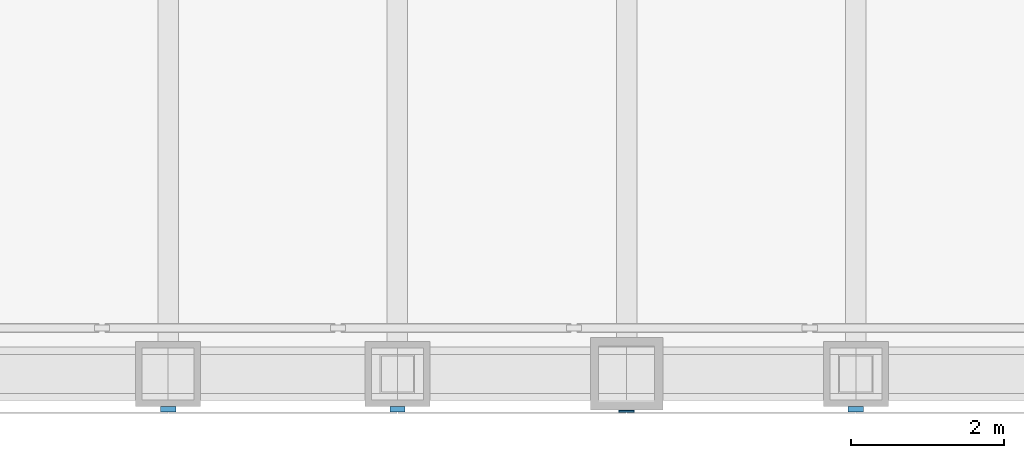
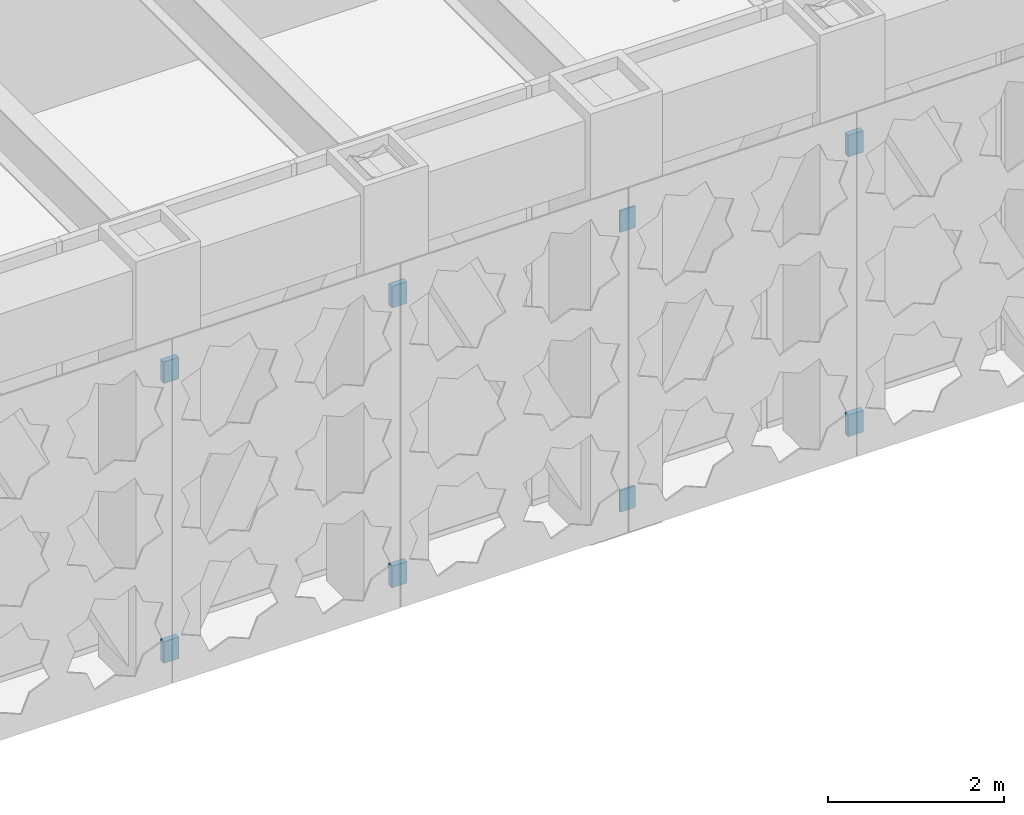
# One storey, part 14 of 31: 8 discrete accessories.
"""IFC4 building model written with IfcOpenShell, lengths in metres."""

from ifc_helpers import new_model, si_unit, direction, frame, origin, origin_2d, place, context, subcontext, project, spatial, rectangle, extrude, material, type_object, element, save


model = new_model("IFC4")

# Units and contexts
model_context = context("Model", 3, precision=1e-05, world=origin(), true_north=direction((0.0, 1.0)))
body_context = subcontext(model_context, "Body", "Model", "MODEL_VIEW")
ifc_project = project(units=[si_unit("LENGTHUNIT", "METRE"), si_unit("AREAUNIT", "SQUARE_METRE"), si_unit("VOLUMEUNIT", "CUBIC_METRE"), si_unit("PLANEANGLEUNIT", "RADIAN"), si_unit("MASSUNIT", "GRAM", prefix="KILO")], contexts=[model_context])

# Site, building, storey
site_placement = place(None, origin())
site = spatial("IfcSite", under=ifc_project, at=site_placement, CompositionType="ELEMENT")
building_placement = place(site_placement, origin())
building = spatial("IfcBuilding", under=site, at=building_placement, Name="Chuquiago Exchange Tower", CompositionType="ELEMENT")
storey_placement = place(building_placement, frame((0.0, 0.0, 96.300048828125)))
storey = spatial("IfcBuildingStorey", under=building, at=storey_placement, Name="L20", CompositionType="ELEMENT", Elevation=96.300048828125)

# Discrete accessories
ifc_material_1 = material(Name="Stainless steel plate bracket", Category="steel")
discrete_accessory_type_1 = type_object("IfcDiscreteAccessoryType", Name="GB4 cladding bracket 75", PredefinedType="BRACKET", material=ifc_material_1)
for number, where, z_axis, x_axis, name in (
    (1, (21.0, -0.46240234375, 0.35009765625), (0.0, 0.0, 1.0), (1.0, 0.0, 0.0), "Cladding bracket L20 S"),
    (2, (21.0, -0.46240234375, 4.23974609375), (0.0, 0.0, 1.0), (1.0, 0.0, 0.0), "Cladding bracket L20 S"),
    (3, (24.0, -0.46240234375, 0.35009765625), (0.0, 0.0, 1.0), (1.0, 0.0, 0.0), "Cladding bracket L20 S"),
    (4, (24.0, -0.46240234375, 4.23974609375), (0.0, 0.0, 1.0), (1.0, 0.0, 0.0), "Cladding bracket L20 S"),
    (5, (30.0, -0.46240234375, 0.35009765625), (0.0, 0.0, 1.0), (1.0, 0.0, 0.0), "Cladding bracket L20 S"),
    (6, (30.0, -0.46240234375, 4.23974609375), (0.0, 0.0, 1.0), (1.0, 0.0, 0.0), "Cladding bracket L20 S"),
):
    element("IfcDiscreteAccessory", number, at=place(storey_placement, frame(where, z_axis=z_axis, x_axis=x_axis)), inside=storey, type_object=discrete_accessory_type_1, Name=name, PredefinedType="BRACKET", context=body_context, shape_type="SweptSolid", body=[
        extrude(rectangle(XDim=0.199951171875, YDim=0.074951171875, at=origin_2d()), origin(), (0.0, 0.0, 1.0), 0.300048828125),
    ])
ifc_material_2 = material(Name="Stainless steel plate bracket", Category="steel")
discrete_accessory_type_2 = type_object("IfcDiscreteAccessoryType", Name="GB7 cladding bracket 25", PredefinedType="BRACKET", material=ifc_material_2)
for number, where, z_axis, x_axis, name in (
    (7, (27.0, -0.487548828125, 0.35009765625), (0.0, 0.0, 1.0), (1.0, 0.0, 0.0), "Cladding bracket L20 S"),
    (8, (27.0, -0.487548828125, 4.23974609375), (0.0, 0.0, 1.0), (1.0, 0.0, 0.0), "Cladding bracket L20 S"),
):
    element("IfcDiscreteAccessory", number, at=place(storey_placement, frame(where, z_axis=z_axis, x_axis=x_axis)), inside=storey, type_object=discrete_accessory_type_2, Name=name, PredefinedType="BRACKET", context=body_context, shape_type="SweptSolid", body=[
        extrude(rectangle(XDim=0.199951171875, YDim=0.02490234375, at=origin_2d()), origin(), (0.0, 0.0, 1.0), 0.300048828125),
    ])

save(model, "model.ifc")
